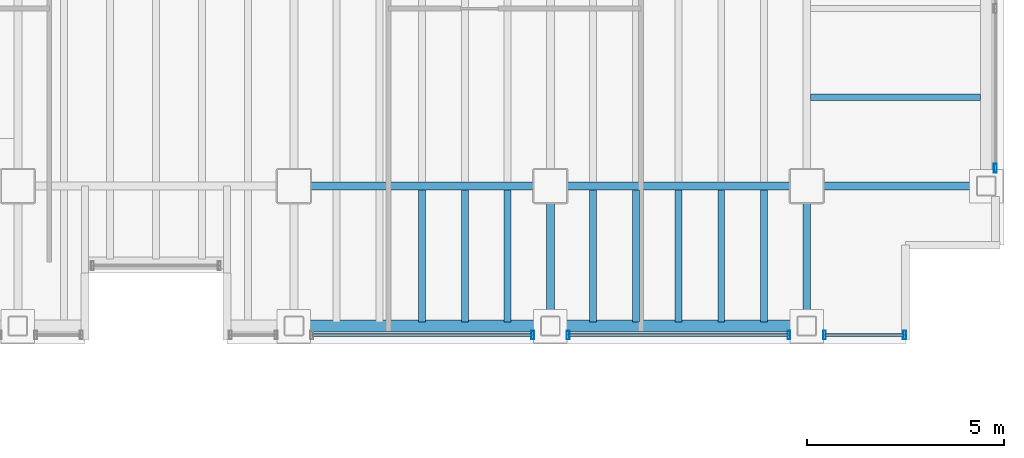
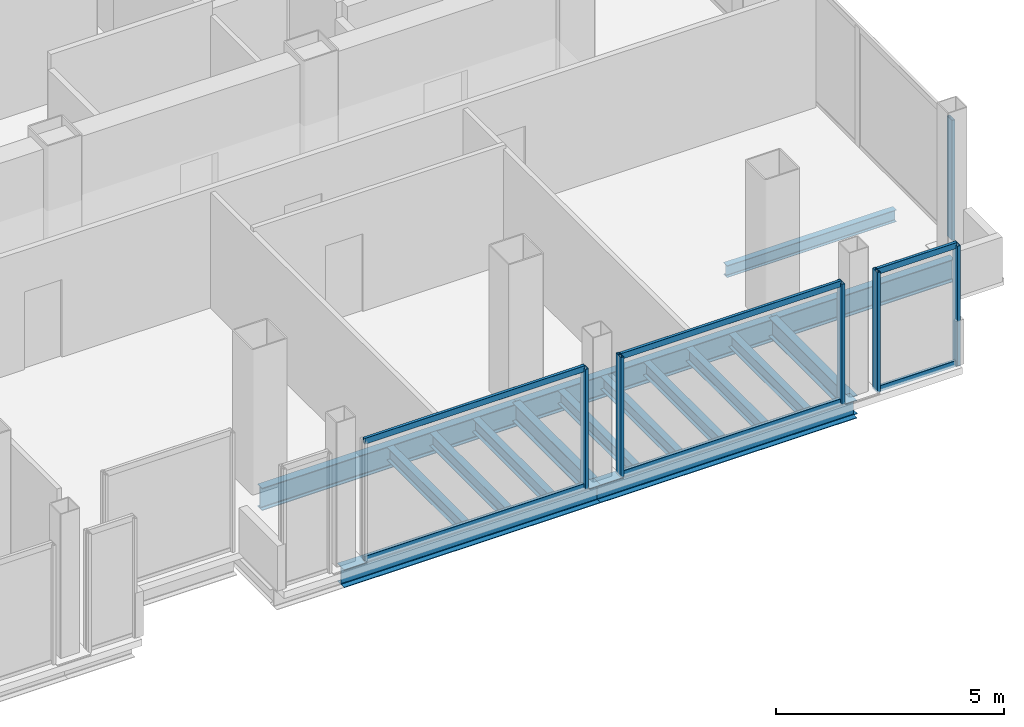
# One storey, part 11 of 19: 16 beams, 12 members, 4 elements without a shape of their own.
"""IFC4 building model written with IfcOpenShell, lengths in metres."""

from ifc_helpers import new_model, si_unit, direction, frame, origin, origin_2d, place, context, subcontext, project, spatial, hollow_rectangle, i_section, extrude, material, material_profile, profile_set, type_object, element, aggregate, save


model = new_model("IFC4")

# Units and contexts
model_context = context("Model", 3, precision=1e-05, world=origin(), true_north=direction((0.0, 1.0)))
body_context = subcontext(model_context, "Body", "Model", "MODEL_VIEW")
ifc_project = project(units=[si_unit("LENGTHUNIT", "METRE"), si_unit("AREAUNIT", "SQUARE_METRE"), si_unit("VOLUMEUNIT", "CUBIC_METRE"), si_unit("PLANEANGLEUNIT", "RADIAN"), si_unit("MASSUNIT", "GRAM", prefix="KILO")], contexts=[model_context])

# Site, building, storey
site_placement = place(None, origin())
site = spatial("IfcSite", under=ifc_project, at=site_placement, CompositionType="ELEMENT")
building_placement = place(site_placement, origin())
building = spatial("IfcBuilding", under=site, at=building_placement, Name="Noeulbin Bourse Tower", CompositionType="ELEMENT")
storey_placement = place(building_placement, frame((0.0, 0.0, 153.89990234375)))
storey = spatial("IfcBuildingStorey", under=building, at=storey_placement, Name="L38", CompositionType="ELEMENT", Elevation=153.89990234375)

# Beams
ifc_material_1 = material(Name="Steel S355", Category="steel")
ifc_material_profile_1 = material_profile(ifc_material_1, i_section(OverallWidth=0.199951171875, OverallDepth=0.5, WebThickness=0.010009765625, FlangeThickness=0.01611328125, FilletRadius=0.02001953125, at=origin_2d()), Name="H-500x200x10x16", Category="LoadBearing")
ifc_profile_set_1 = profile_set([ifc_material_profile_1], Name="Steel S355")
beam_type_1 = type_object("IfcBeamType", Name="BM-GRD-500", PredefinedType="USERDEFINED", material=ifc_profile_set_1)
for number, where, z_axis, x_axis, name in (
    (1, (37.5, 16.449951171875, -0.429931640625), (0.0, 1.0, 0.0), (-1.0, 0.0, 0.0), "Tower Primary Girder NS L38-4.1"),
    (2, (44.0, 16.449951171875, -0.429931640625), (0.0, 1.0, 0.0), (-1.0, 0.0, 0.0), "Tower Primary Girder NS L38-5.1"),
):
    element("IfcBeam", number, at=place(storey_placement, frame(where, z_axis=z_axis, x_axis=x_axis)), inside=storey, type_object=beam_type_1, Name=name, ObjectType="GIRDER", PredefinedType="USERDEFINED", context=body_context, shape_type="SweptSolid", body=[
        extrude(i_section(OverallWidth=0.199951171875, OverallDepth=0.5, WebThickness=0.010009765625, FlangeThickness=0.01611328125, FilletRadius=0.02001953125, at=origin_2d()), origin(), (0.0, 0.0, 1.0), 3.550048828125),
    ])
ifc_material_profile_2 = material_profile(ifc_material_1, i_section(OverallWidth=0.199951171875, OverallDepth=0.60009765625, WebThickness=0.010986328125, FlangeThickness=0.01708984375, FilletRadius=0.02197265625, at=origin_2d()), Name="H-600x200x11x17", Category="LoadBearing")
ifc_profile_set_2 = profile_set([ifc_material_profile_2], Name="Steel S355")
beam_type_2 = type_object("IfcBeamType", Name="BM-GRD-600", PredefinedType="USERDEFINED", material=ifc_profile_set_2)
for number, where, z_axis, x_axis, name in (
    (3, (31.0, 20.0, -0.47998046875), (1.0, 0.0, 0.0), (0.0, 1.0, 0.0), "Tower Primary Girder EW L38-1.4"),
    (4, (37.5, 20.0, -0.47998046875), (1.0, 0.0, 0.0), (0.0, 1.0, 0.0), "Tower Primary Girder EW L38-1.5"),
):
    element("IfcBeam", number, at=place(storey_placement, frame(where, z_axis=z_axis, x_axis=x_axis)), inside=storey, type_object=beam_type_2, Name=name, ObjectType="GIRDER", PredefinedType="USERDEFINED", context=body_context, shape_type="SweptSolid", body=[
        extrude(i_section(OverallWidth=0.199951171875, OverallDepth=0.60009765625, WebThickness=0.010986328125, FlangeThickness=0.01708984375, FilletRadius=0.02197265625, at=origin_2d()), origin(), (0.0, 0.0, 1.0), 6.5),
    ])
beam_1_placement = place(storey_placement, frame((44.0, 20.0, -0.47998046875), z_axis=(1.0, 0.0, 0.0), x_axis=(0.0, 1.0, 0.0)))
element("IfcBeam", 5, at=beam_1_placement, inside=storey, type_object=beam_type_2, Name="Tower Primary Girder EW L38-1.6", ObjectType="GIRDER", PredefinedType="USERDEFINED", context=body_context, shape_type="SweptSolid", body=[
    extrude(i_section(OverallWidth=0.199951171875, OverallDepth=0.60009765625, WebThickness=0.010986328125, FlangeThickness=0.01708984375, FilletRadius=0.02197265625, at=origin_2d()), origin(), (0.0, 0.0, 1.0), 4.550048828125),
])
ifc_material_profile_3 = material_profile(ifc_material_1, i_section(OverallWidth=0.159912109375, OverallDepth=0.320068359375, WebThickness=0.006591796875, FlangeThickness=0.010009765625, FilletRadius=0.012939453125, at=origin_2d()), Name="H-320x160x6.5x10", Category="LoadBearing")
ifc_profile_set_3 = profile_set([ifc_material_profile_3], Name="Steel S355")
beam_type_3 = type_object("IfcBeamType", Name="BM-JST-320", PredefinedType="JOIST", material=ifc_profile_set_3)
beam_2_placement = place(storey_placement, frame((44.10009765625, 22.25, -0.33984375), z_axis=(1.0, 0.0, 0.0), x_axis=(0.0, 1.0, 0.0)))
element("IfcBeam", 6, at=beam_2_placement, inside=storey, type_object=beam_type_3, Name="Wing Composite Joist L38-E73", PredefinedType="JOIST", context=body_context, shape_type="SweptSolid", body=[
    extrude(i_section(OverallWidth=0.159912109375, OverallDepth=0.320068359375, WebThickness=0.006591796875, FlangeThickness=0.010009765625, FilletRadius=0.012939453125, at=origin_2d()), origin(), (0.0, 0.0, 1.0), 4.2998046875),
])
ifc_material_profile_4 = material_profile(ifc_material_1, i_section(OverallWidth=0.175048828125, OverallDepth=0.35009765625, WebThickness=0.007080078125, FlangeThickness=0.010986328125, FilletRadius=0.013916015625, at=origin_2d()), Name="H-350x175x7x11", Category="LoadBearing")
ifc_profile_set_4 = profile_set([ifc_material_profile_4], Name="Steel S355")
beam_type_4 = type_object("IfcBeamType", Name="BM-JST-350", PredefinedType="JOIST", material=ifc_profile_set_4)
for number, where, z_axis, x_axis, name in (
    (7, (34.25, 16.550048828125, -0.35498046875), (0.0, 1.0, 0.0), (-1.0, 0.0, 0.0), "Tower Composite Joist L38-46"),
    (8, (35.333251953125, 16.550048828125, -0.35498046875), (0.0, 1.0, 0.0), (-1.0, 0.0, 0.0), "Tower Composite Joist L38-49"),
    (9, (36.416748046875, 16.550048828125, -0.35498046875), (0.0, 1.0, 0.0), (-1.0, 0.0, 0.0), "Tower Composite Joist L38-52"),
    (10, (38.583251953125, 16.550048828125, -0.35498046875), (0.0, 1.0, 0.0), (-1.0, 0.0, 0.0), "Tower Composite Joist L38-55"),
    (11, (39.666748046875, 16.550048828125, -0.35498046875), (0.0, 1.0, 0.0), (-1.0, 0.0, 0.0), "Tower Composite Joist L38-58"),
    (12, (40.75, 16.550048828125, -0.35498046875), (0.0, 1.0, 0.0), (-1.0, 0.0, 0.0), "Tower Composite Joist L38-61"),
    (13, (41.833251953125, 16.550048828125, -0.35498046875), (0.0, 1.0, 0.0), (-1.0, 0.0, 0.0), "Tower Composite Joist L38-64"),
    (14, (42.916748046875, 16.550048828125, -0.35498046875), (0.0, 1.0, 0.0), (-1.0, 0.0, 0.0), "Tower Composite Joist L38-67"),
):
    element("IfcBeam", number, at=place(storey_placement, frame(where, z_axis=z_axis, x_axis=x_axis)), inside=storey, type_object=beam_type_4, Name=name, PredefinedType="JOIST", context=body_context, shape_type="SweptSolid", body=[
        extrude(i_section(OverallWidth=0.175048828125, OverallDepth=0.35009765625, WebThickness=0.007080078125, FlangeThickness=0.010986328125, FilletRadius=0.013916015625, at=origin_2d()), origin(), (0.0, 0.0, 1.0), 3.349853515625),
    ])
ifc_material_profile_5 = material_profile(ifc_material_1, i_section(OverallWidth=0.300048828125, OverallDepth=0.488037109375, WebThickness=0.010986328125, FlangeThickness=0.01806640625, FilletRadius=0.02197265625, at=origin_2d()), Name="H-488x300x11x18", Category="LoadBearing")
ifc_profile_set_5 = profile_set([ifc_material_profile_5], Name="Steel S355")
beam_type_5 = type_object("IfcBeamType", Name="BM-SPN-488", PredefinedType="SPANDREL", material=ifc_profile_set_5)
for number, where, z_axis, x_axis, name in (
    (15, (31.0, 16.449951171875, -0.423828125), (1.0, 0.0, 0.0), (0.0, 1.0, 0.0), "South Spandrel L38-3"),
    (16, (37.5, 16.449951171875, -0.423828125), (1.0, 0.0, 0.0), (0.0, 1.0, 0.0), "South Spandrel L38-4"),
):
    element("IfcBeam", number, at=place(storey_placement, frame(where, z_axis=z_axis, x_axis=x_axis)), inside=storey, type_object=beam_type_5, Name=name, PredefinedType="SPANDREL", context=body_context, shape_type="SweptSolid", body=[
        extrude(i_section(OverallWidth=0.300048828125, OverallDepth=0.488037109375, WebThickness=0.010986328125, FlangeThickness=0.01806640625, FilletRadius=0.02197265625, at=origin_2d()), origin(), (0.0, 0.0, 1.0), 6.5),
    ])

# Curtain wall, member
ifc_material_2 = material(Name="Dark Tinted Triple Glazing", Category="glass")
curtain_wall_type = type_object("IfcCurtainWallType", Name="CW-SYS-3", PredefinedType="NOTDEFINED", material=ifc_material_2)
curtain_wall_1_placement = place(storey_placement, origin())
curtain_wall_1 = element("IfcCurtainWall", 17, at=curtain_wall_1_placement, inside=storey, type_object=curtain_wall_type, Name="Unitised Curtain Wall CW-L38-S3-S2", PredefinedType="NOTDEFINED")
ifc_material_3 = material(Name="Anodised Aluminium 6063-T6", Category="aluminium")
ifc_material_profile_6 = material_profile(ifc_material_3, hollow_rectangle(XDim=0.074951171875, YDim=0.219970703125, WallThickness=0.0048828125, InnerFilletRadius=0.00244140625, OuterFilletRadius=0.0048828125, at=origin_2d()), Name="ALU-MULL-75x220x5", Category="LoadBearing")
ifc_profile_set_6 = profile_set([ifc_material_profile_6], Name="Anodised Aluminium 6063-T6")
member_type_1 = type_object("IfcMemberType", Name="CW-SYS-3-MUL", PredefinedType="MULLION", material=ifc_profile_set_6)
member_1_placement = place(storey_placement, frame((37.050048828125, 16.219970703125, -0.02001953125), z_axis=(0.0, 0.0, 1.0), x_axis=(1.0, 0.0, 0.0)))
member_1 = element("IfcMember", 18, at=member_1_placement, type_object=member_type_1, Name="Curtain Wall Mullion CW-L38-S3-S2-M01", PredefinedType="MULLION", context=body_context, shape_type="SweptSolid", body=[
    extrude(hollow_rectangle(XDim=0.074951171875, YDim=0.219970703125, WallThickness=0.0048828125, InnerFilletRadius=0.00244140625, OuterFilletRadius=0.0048828125, at=origin_2d()), origin(), (0.0, 0.0, 1.0), 3.22021484375),
])

# Curtain wall, members
curtain_wall_2_placement = place(storey_placement, origin())
curtain_wall_2 = element("IfcCurtainWall", 19, at=curtain_wall_2_placement, inside=storey, type_object=curtain_wall_type, Name="Unitised Curtain Wall CW-L38-S3-S3", PredefinedType="NOTDEFINED")
member_2_placement = place(storey_placement, frame((37.949951171875, 16.219970703125, -0.02001953125), z_axis=(0.0, 0.0, 1.0), x_axis=(1.0, 0.0, 0.0)))
member_2 = element("IfcMember", 20, at=member_2_placement, type_object=member_type_1, Name="Curtain Wall Mullion CW-L38-S3-S3-M00", PredefinedType="MULLION", context=body_context, shape_type="SweptSolid", body=[
    extrude(hollow_rectangle(XDim=0.074951171875, YDim=0.219970703125, WallThickness=0.0048828125, InnerFilletRadius=0.00244140625, OuterFilletRadius=0.0048828125, at=origin_2d()), origin(), (0.0, 0.0, 1.0), 3.22021484375),
])
member_3_placement = place(storey_placement, frame((43.550048828125, 16.219970703125, -0.02001953125), z_axis=(0.0, 0.0, 1.0), x_axis=(1.0, 0.0, 0.0)))
member_3 = element("IfcMember", 21, at=member_3_placement, type_object=member_type_1, Name="Curtain Wall Mullion CW-L38-S3-S3-M01", PredefinedType="MULLION", context=body_context, shape_type="SweptSolid", body=[
    extrude(hollow_rectangle(XDim=0.074951171875, YDim=0.219970703125, WallThickness=0.0048828125, InnerFilletRadius=0.00244140625, OuterFilletRadius=0.0048828125, at=origin_2d()), origin(), (0.0, 0.0, 1.0), 3.22021484375),
])

curtain_wall_3_placement = place(storey_placement, origin())
curtain_wall_3 = element("IfcCurtainWall", 22, at=curtain_wall_3_placement, inside=storey, type_object=curtain_wall_type, Name="Unitised Curtain Wall CW-L38-S3-S4", PredefinedType="NOTDEFINED")
member_4_placement = place(storey_placement, frame((44.449951171875, 16.219970703125, -0.02001953125), z_axis=(0.0, 0.0, 1.0), x_axis=(1.0, 0.0, 0.0)))
member_4 = element("IfcMember", 23, at=member_4_placement, type_object=member_type_1, Name="Curtain Wall Mullion CW-L38-S3-S4-M00", PredefinedType="MULLION", context=body_context, shape_type="SweptSolid", body=[
    extrude(hollow_rectangle(XDim=0.074951171875, YDim=0.219970703125, WallThickness=0.0048828125, InnerFilletRadius=0.00244140625, OuterFilletRadius=0.0048828125, at=origin_2d()), origin(), (0.0, 0.0, 1.0), 3.22021484375),
])
member_5_placement = place(storey_placement, frame((46.47998046875, 16.219970703125, -0.02001953125), z_axis=(0.0, 0.0, 1.0), x_axis=(1.0, 0.0, 0.0)))
member_5 = element("IfcMember", 24, at=member_5_placement, type_object=member_type_1, Name="Curtain Wall Mullion CW-L38-S3-S4-M01", PredefinedType="MULLION", context=body_context, shape_type="SweptSolid", body=[
    extrude(hollow_rectangle(XDim=0.074951171875, YDim=0.219970703125, WallThickness=0.0048828125, InnerFilletRadius=0.00244140625, OuterFilletRadius=0.0048828125, at=origin_2d()), origin(), (0.0, 0.0, 1.0), 3.22021484375),
])

# Curtain wall, member
curtain_wall_4_placement = place(storey_placement, origin())
curtain_wall_4 = element("IfcCurtainWall", 25, at=curtain_wall_4_placement, inside=storey, type_object=curtain_wall_type, Name="Unitised Curtain Wall CW-L38-E-S1", PredefinedType="NOTDEFINED")
member_6_placement = place(storey_placement, frame((48.780029296875, 20.449951171875, -0.02001953125), z_axis=(0.0, 0.0, 1.0), x_axis=(1.0, 0.0, 0.0)))
member_6 = element("IfcMember", 26, at=member_6_placement, type_object=member_type_1, Name="Curtain Wall Mullion CW-L38-E-S1-M00", PredefinedType="MULLION", context=body_context, shape_type="SweptSolid", body=[
    extrude(hollow_rectangle(XDim=0.074951171875, YDim=0.219970703125, WallThickness=0.0048828125, InnerFilletRadius=0.00244140625, OuterFilletRadius=0.0048828125, at=origin_2d()), origin(), (0.0, 0.0, 1.0), 3.22021484375),
])
aggregate(curtain_wall_4, [member_6])

# Member
ifc_material_profile_7 = material_profile(ifc_material_3, hollow_rectangle(XDim=0.074951171875, YDim=0.159912109375, WallThickness=0.0048828125, InnerFilletRadius=0.00244140625, OuterFilletRadius=0.0048828125, at=origin_2d()), Name="ALU-TRAN-75x160x5", Category="LoadBearing")
ifc_profile_set_7 = profile_set([ifc_material_profile_7], Name="Anodised Aluminium 6063-T6")
member_type_2 = type_object("IfcMemberType", Name="CW-SYS-3-TRN", PredefinedType="USERDEFINED", material=ifc_profile_set_7)
member_7_placement = place(storey_placement, frame((31.4599609375, 16.219970703125, 0.010009765625), z_axis=(1.0, 0.0, 0.0), x_axis=(0.0, 1.0, 0.0)))
member_7 = element("IfcMember", 27, at=member_7_placement, type_object=member_type_2, Name="Curtain Wall Transom CW-L38-S3-S2-T00", ObjectType="TRANSOM", PredefinedType="USERDEFINED", context=body_context, shape_type="SweptSolid", body=[
    extrude(hollow_rectangle(XDim=0.074951171875, YDim=0.159912109375, WallThickness=0.0048828125, InnerFilletRadius=0.00244140625, OuterFilletRadius=0.0048828125, at=origin_2d()), origin(), (0.0, 0.0, 1.0), 5.580078125),
])

member_8_placement = place(storey_placement, frame((31.4599609375, 16.219970703125, 3.170166015625), z_axis=(1.0, 0.0, 0.0), x_axis=(0.0, 1.0, 0.0)))
member_8 = element("IfcMember", 28, at=member_8_placement, type_object=member_type_2, Name="Curtain Wall Transom CW-L38-S3-S2-T01", ObjectType="TRANSOM", PredefinedType="USERDEFINED", context=body_context, shape_type="SweptSolid", body=[
    extrude(hollow_rectangle(XDim=0.074951171875, YDim=0.159912109375, WallThickness=0.0048828125, InnerFilletRadius=0.00244140625, OuterFilletRadius=0.0048828125, at=origin_2d()), origin(), (0.0, 0.0, 1.0), 5.580078125),
])

aggregate(curtain_wall_1, [member_1, member_7, member_8])

member_9_placement = place(storey_placement, frame((37.9599609375, 16.219970703125, 0.010009765625), z_axis=(1.0, 0.0, 0.0), x_axis=(0.0, 1.0, 0.0)))
member_9 = element("IfcMember", 29, at=member_9_placement, type_object=member_type_2, Name="Curtain Wall Transom CW-L38-S3-S3-T00", ObjectType="TRANSOM", PredefinedType="USERDEFINED", context=body_context, shape_type="SweptSolid", body=[
    extrude(hollow_rectangle(XDim=0.074951171875, YDim=0.159912109375, WallThickness=0.0048828125, InnerFilletRadius=0.00244140625, OuterFilletRadius=0.0048828125, at=origin_2d()), origin(), (0.0, 0.0, 1.0), 5.580078125),
])

member_10_placement = place(storey_placement, frame((37.9599609375, 16.219970703125, 3.170166015625), z_axis=(1.0, 0.0, 0.0), x_axis=(0.0, 1.0, 0.0)))
member_10 = element("IfcMember", 30, at=member_10_placement, type_object=member_type_2, Name="Curtain Wall Transom CW-L38-S3-S3-T01", ObjectType="TRANSOM", PredefinedType="USERDEFINED", context=body_context, shape_type="SweptSolid", body=[
    extrude(hollow_rectangle(XDim=0.074951171875, YDim=0.159912109375, WallThickness=0.0048828125, InnerFilletRadius=0.00244140625, OuterFilletRadius=0.0048828125, at=origin_2d()), origin(), (0.0, 0.0, 1.0), 5.580078125),
])

aggregate(curtain_wall_2, [member_2, member_3, member_9, member_10])

member_11_placement = place(storey_placement, frame((44.4599609375, 16.219970703125, 0.010009765625), z_axis=(1.0, 0.0, 0.0), x_axis=(0.0, 1.0, 0.0)))
member_11 = element("IfcMember", 31, at=member_11_placement, type_object=member_type_2, Name="Curtain Wall Transom CW-L38-S3-S4-T00", ObjectType="TRANSOM", PredefinedType="USERDEFINED", context=body_context, shape_type="SweptSolid", body=[
    extrude(hollow_rectangle(XDim=0.074951171875, YDim=0.159912109375, WallThickness=0.0048828125, InnerFilletRadius=0.00244140625, OuterFilletRadius=0.0048828125, at=origin_2d()), origin(), (0.0, 0.0, 1.0), 2.010009765625),
])

member_12_placement = place(storey_placement, frame((44.4599609375, 16.219970703125, 3.170166015625), z_axis=(1.0, 0.0, 0.0), x_axis=(0.0, 1.0, 0.0)))
member_12 = element("IfcMember", 32, at=member_12_placement, type_object=member_type_2, Name="Curtain Wall Transom CW-L38-S3-S4-T01", ObjectType="TRANSOM", PredefinedType="USERDEFINED", context=body_context, shape_type="SweptSolid", body=[
    extrude(hollow_rectangle(XDim=0.074951171875, YDim=0.159912109375, WallThickness=0.0048828125, InnerFilletRadius=0.00244140625, OuterFilletRadius=0.0048828125, at=origin_2d()), origin(), (0.0, 0.0, 1.0), 2.010009765625),
])

aggregate(curtain_wall_3, [member_4, member_5, member_11, member_12])

save(model, "model.ifc")
